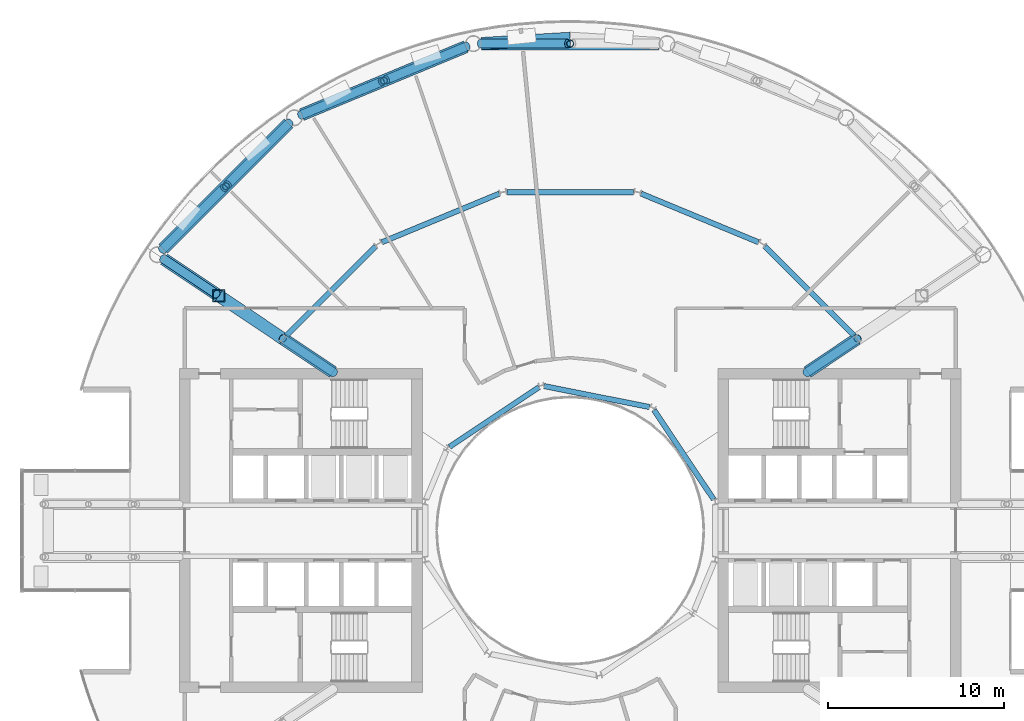
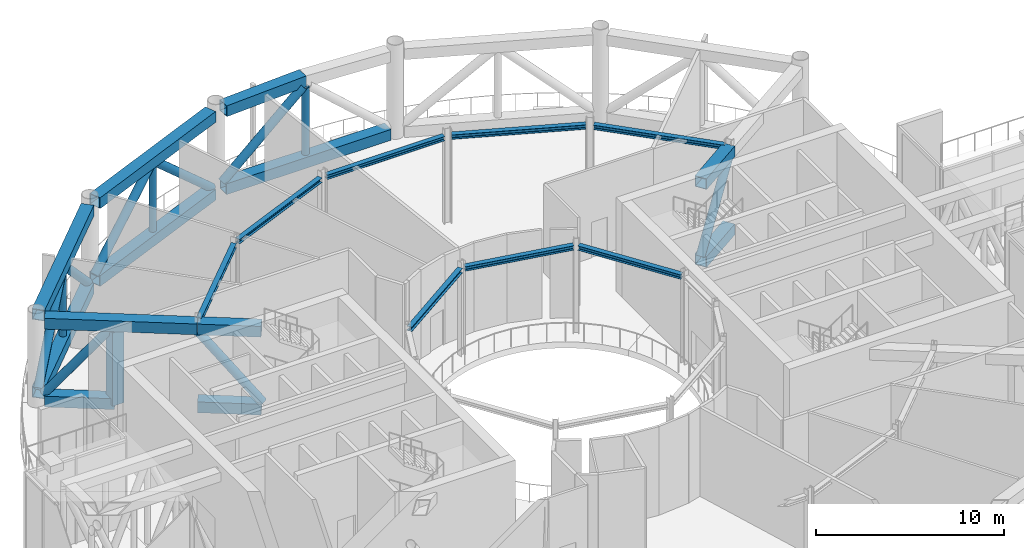
# One storey, part 9 of 25: 20 beams, 12 members.
"""IFC4 building model written with IfcOpenShell, lengths in metres."""

from ifc_helpers import new_model, si_unit, direction, frame, origin, origin_2d, place, context, subcontext, project, spatial, hollow_rectangle, hollow_circle, i_section, extrude, material, material_profile, profile_set, type_object, element, save


model = new_model("IFC4")

# Units and contexts
model_context = context("Model", 3, precision=1e-05, world=origin(), true_north=direction((0.0, 1.0)))
body_context = subcontext(model_context, "Body", "Model", "MODEL_VIEW")
ifc_project = project(units=[si_unit("LENGTHUNIT", "METRE"), si_unit("AREAUNIT", "SQUARE_METRE"), si_unit("VOLUMEUNIT", "CUBIC_METRE"), si_unit("PLANEANGLEUNIT", "RADIAN"), si_unit("MASSUNIT", "GRAM", prefix="KILO")], contexts=[model_context])

# Site, building, storey
site_placement = place(None, origin())
site = spatial("IfcSite", under=ifc_project, at=site_placement, CompositionType="ELEMENT")
building_placement = place(site_placement, origin())
building = spatial("IfcBuilding", under=site, at=building_placement, Name="Maasbend Ring Residences", CompositionType="ELEMENT")
storey_placement = place(building_placement, frame((0.0, 0.0, 139.10009765625)))
storey = spatial("IfcBuildingStorey", under=building, at=storey_placement, Name="L40", CompositionType="ELEMENT", Elevation=139.10009765625)

# Beams
ifc_material_1 = material(Name="Steel S460M", Category="steel")
ifc_material_profile_1 = material_profile(ifc_material_1, hollow_rectangle(XDim=0.699951171875, YDim=0.699951171875, WallThickness=0.0400390625, at=origin_2d()), Name="Belt truss chord BX 700x700x40")
ifc_profile_set_1 = profile_set([ifc_material_profile_1], Name="Steel S460M")
beam_type_1 = type_object("IfcBeamType", Name="Belt truss chord BX 700x700x40", PredefinedType="BEAM", material=ifc_profile_set_1)
beam_1_placement = place(storey_placement, frame((5.04443359375, 27.658203125, 0.349853515625), z_axis=(-1.0, 0.0, 0.0), x_axis=(0.0, -1.0, 0.0)))
element("IfcBeam", 1, at=beam_1_placement, inside=storey, type_object=beam_type_1, Name="Belt truss", PredefinedType="BEAM", context=body_context, shape_type="SweptSolid", body=[
    extrude(hollow_rectangle(XDim=0.699951171875, YDim=0.699951171875, WallThickness=0.0400390625, at=origin_2d()), origin(), (0.0, 0.0, 1.0), 10.0888671875),
])
beam_2_placement = place(storey_placement, frame((0.0, 27.9580078125, 5.39990234375), z_axis=(-0.998238537698, -0.05932808655, 0.0), x_axis=(0.05932808655, -0.998238537698, 0.0)))
element("IfcBeam", 2, at=beam_2_placement, inside=storey, type_object=beam_type_1, Name="Belt truss", PredefinedType="BEAM", context=body_context, shape_type="SweptSolid", body=[
    extrude(hollow_rectangle(XDim=0.699951171875, YDim=0.699951171875, WallThickness=0.0400390625, at=origin_2d()), origin(), (0.0, 0.0, 1.0), 5.05322265625),
])
for number, where, z_axis, x_axis, name in (
    (3, (-5.923583984375, 27.483154296875, 0.349853515625), (-0.92388529709, -0.382669515144, 0.0), (0.382669515144, -0.92388529709, 0.0), "Belt truss"),
    (4, (-5.923583984375, 27.483154296875, 5.39990234375), (-0.92388529709, -0.382669515144, 0.0), (0.382669515144, -0.92388529709, 0.0), "Belt truss"),
    (5, (-15.990234375, 23.124267578125, 0.349853515625), (-0.707106781187, -0.707106781187, 0.0), (0.707106781187, -0.707106781187, 0.0), "Belt truss"),
    (6, (-15.990234375, 23.124267578125, 5.39990234375), (-0.707106781187, -0.707106781187, 0.0), (0.707106781187, -0.707106781187, 0.0), "Belt truss"),
):
    element("IfcBeam", number, at=place(storey_placement, frame(where, z_axis=z_axis, x_axis=x_axis)), inside=storey, type_object=beam_type_1, Name=name, PredefinedType="BEAM", context=body_context, shape_type="SweptSolid", body=[
        extrude(hollow_rectangle(XDim=0.699951171875, YDim=0.699951171875, WallThickness=0.0400390625, at=origin_2d()), origin(), (0.0, 0.0, 1.0), 10.089111328125),
    ])

# Members
ifc_material_2 = material(Name="Steel S460NH", Category="steel")
ifc_material_profile_2 = material_profile(ifc_material_2, hollow_circle(Radius=0.25390625, WallThickness=0.01611328125, at=origin_2d()), Name="Belt truss diagonal CHS 508x16")
ifc_profile_set_2 = profile_set([ifc_material_profile_2], Name="Steel S460NH")
member_type_1 = type_object("IfcMemberType", Name="Belt truss diagonal CHS 508x16", PredefinedType="BRACE", material=ifc_profile_set_2)
member_1_placement = place(storey_placement, frame((-0.147705078125, 27.658203125, 5.099853515625), z_axis=(-0.743831786321, 0.0, -0.668366870558), x_axis=(0.0, -1.0, 0.0)))
element("IfcMember", 7, at=member_1_placement, inside=storey, type_object=member_type_1, Name="Belt truss diagonal", PredefinedType="BRACE", context=body_context, shape_type="SweptSolid", body=[
    extrude(hollow_circle(Radius=0.25390625, WallThickness=0.01611328125, at=origin_2d()), origin(), (0.0, 0.0, 1.0), 6.657958984375),
])
for number, where, z_axis, x_axis, name in (
    (8, (-5.872314453125, 27.50439453125, 0.64990234375), (-0.687230408207, -0.28465316716, 0.668346422495), (0.382675413306, -0.923882854074, 0.0), "Belt truss diagonal"),
    (9, (-10.720703125, 25.496337890625, 5.099853515625), (-0.687230408207, -0.28465316716, -0.668346422495), (0.382675413306, -0.923882854074, 0.0), "Belt truss diagonal"),
):
    element("IfcMember", number, at=place(storey_placement, frame(where, z_axis=z_axis, x_axis=x_axis)), inside=storey, type_object=member_type_1, Name=name, PredefinedType="BRACE", context=body_context, shape_type="SweptSolid", body=[
        extrude(hollow_circle(Radius=0.25390625, WallThickness=0.01611328125, at=origin_2d()), origin(), (0.0, 0.0, 1.0), 6.658203125),
    ])
for number, where, z_axis, x_axis, name in (
    (10, (-15.950927734375, 23.16357421875, 0.64990234375), (-0.525974052157, -0.525974052157, 0.668358132227), (0.707106781187, -0.707106781187, 0.0), "Belt truss diagonal"),
    (11, (-19.66162109375, 19.452880859375, 5.099853515625), (-0.525974052157, -0.525974052157, -0.668358132227), (0.707106781187, -0.707106781187, 0.0), "Belt truss diagonal"),
):
    element("IfcMember", number, at=place(storey_placement, frame(where, z_axis=z_axis, x_axis=x_axis)), inside=storey, type_object=member_type_1, Name=name, PredefinedType="BRACE", context=body_context, shape_type="SweptSolid", body=[
        extrude(hollow_circle(Radius=0.25390625, WallThickness=0.01611328125, at=origin_2d()), origin(), (0.0, 0.0, 1.0), 6.657958984375),
    ])
ifc_material_3 = material(Name="Steel S460NH", Category="steel")
ifc_material_profile_3 = material_profile(ifc_material_3, hollow_circle(Radius=0.203125, WallThickness=0.01611328125, at=origin_2d()), Name="Belt truss post CHS 406.4x16")
ifc_profile_set_3 = profile_set([ifc_material_profile_3], Name="Steel S460NH")
member_type_2 = type_object("IfcMemberType", Name="Belt truss post CHS 406.4x16", PredefinedType="POST", material=ifc_profile_set_3)
for number, where, z_axis, x_axis, name in (
    (12, (0.0, 27.658203125, 0.699951171875), (0.0, 0.0, 1.0), (1.0, 0.0, 0.0), "Belt truss post"),
    (13, (-10.584228515625, 25.552734375, 0.699951171875), (0.0, 0.0, 1.0), (1.0, 0.0, 0.0), "Belt truss post"),
    (14, (-19.55712890625, 19.55712890625, 0.699951171875), (0.0, 0.0, 1.0), (1.0, 0.0, 0.0), "Belt truss post"),
):
    element("IfcMember", number, at=place(storey_placement, frame(where, z_axis=z_axis, x_axis=x_axis)), inside=storey, type_object=member_type_2, Name=name, PredefinedType="POST", context=body_context, shape_type="SweptSolid", body=[
        extrude(hollow_circle(Radius=0.203125, WallThickness=0.01611328125, at=origin_2d()), origin(), (0.0, 0.0, 1.0), 4.349853515625),
    ])

# Beams
ifc_material_4 = material(Name="Steel S355J2", Category="steel")
ifc_material_profile_4 = material_profile(ifc_material_4, i_section(OverallWidth=0.300048828125, OverallDepth=0.2900390625, WebThickness=0.008544921875, FlangeThickness=0.013916015625, FilletRadius=0.027099609375, at=origin_2d()), Name="HEA 300")
ifc_profile_set_4 = profile_set([ifc_material_profile_4], Name="Steel S355J2")
beam_type_2 = type_object("IfcBeamType", Name="Corridor ring beam HEA 300", PredefinedType="BEAM", material=ifc_profile_set_4)
for number, where, z_axis, x_axis, name in (
    (15, (16.14111328125, 11.044921875, 5.60498046875), (-0.707106781187, 0.707106781187, 0.0), (-0.707106781187, -0.707106781187, 0.0), "Corridor ring beam"),
    (16, (10.685791015625, 16.381103515625, 5.60498046875), (-0.923877693919, 0.382687871089, 0.0), (-0.382687871089, -0.923877693919, 0.0), "Corridor ring beam"),
    (17, (3.603515625, 19.223388671875, 5.60498046875), (-1.0, 0.0, 0.0), (0.0, -1.0, 0.0), "Corridor ring beam"),
    (18, (-4.02734375, 19.13916015625, 5.60498046875), (-0.923877693919, -0.382687871089, 0.0), (0.382687871089, -0.923877693919, 0.0), "Corridor ring beam"),
    (19, (-11.044921875, 16.14111328125, 5.60498046875), (-0.707106781187, -0.707106781187, 0.0), (0.707106781187, -0.707106781187, 0.0), "Corridor ring beam"),
):
    element("IfcBeam", number, at=place(storey_placement, frame(where, z_axis=z_axis, x_axis=x_axis)), inside=storey, type_object=beam_type_2, Name=name, PredefinedType="BEAM", context=body_context, shape_type="SweptSolid", body=[
        extrude(i_section(OverallWidth=0.300048828125, OverallDepth=0.2900390625, WebThickness=0.008544921875, FlangeThickness=0.013916015625, FilletRadius=0.027099609375, at=origin_2d()), origin(), (0.0, 0.0, 1.0), 7.20703125),
    ])
ifc_material_5 = material(Name="Steel S460M", Category="steel")
ifc_material_profile_5 = material_profile(ifc_material_5, hollow_rectangle(XDim=0.699951171875, YDim=0.699951171875, WallThickness=0.0400390625, at=origin_2d()), Name="Outrigger truss chord BX 700x700x40")
ifc_profile_set_5 = profile_set([ifc_material_profile_5], Name="Steel S460M")
beam_type_3 = type_object("IfcBeamType", Name="Outrigger truss chord BX 700x700x40", PredefinedType="BEAM", material=ifc_profile_set_5)
for number, where, z_axis, x_axis, name in (
    (20, (16.2900390625, 10.884765625, 0.349853515625), (-0.831451918965, -0.555596712058, 0.0), (0.555596712058, -0.831451918965, 0.0), "Outrigger truss"),
    (21, (16.2900390625, 10.884765625, 5.39990234375), (-0.831451918965, -0.555596712058, 0.0), (0.555596712058, -0.831451918965, 0.0), "Outrigger truss"),
):
    element("IfcBeam", number, at=place(storey_placement, frame(where, z_axis=z_axis, x_axis=x_axis)), inside=storey, type_object=beam_type_3, Name=name, PredefinedType="BEAM", context=body_context, shape_type="SweptSolid", body=[
        extrude(hollow_rectangle(XDim=0.699951171875, YDim=0.699951171875, WallThickness=0.0400390625, at=origin_2d()), origin(), (0.0, 0.0, 1.0), 3.392333984375),
    ])
beam_3_placement = place(storey_placement, frame((-23.0673828125, 15.4130859375, 0.349853515625), z_axis=(0.831476625974, -0.555559736175, 0.0), x_axis=(0.555559736175, 0.831476625974, 0.0)))
element("IfcBeam", 22, at=beam_3_placement, inside=storey, type_object=beam_type_3, Name="Outrigger truss", PredefinedType="BEAM", context=body_context, shape_type="SweptSolid", body=[
    extrude(hollow_rectangle(XDim=0.699951171875, YDim=0.699951171875, WallThickness=0.0400390625, at=origin_2d()), origin(), (0.0, 0.0, 1.0), 3.73486328125),
])
beam_4_placement = place(storey_placement, frame((-23.0673828125, 15.4130859375, 5.39990234375), z_axis=(0.831468075719, -0.555572532673, 0.0), x_axis=(0.555572532673, 0.831468075719, 0.0)))
element("IfcBeam", 23, at=beam_4_placement, inside=storey, type_object=beam_type_3, Name="Outrigger truss", PredefinedType="BEAM", context=body_context, shape_type="SweptSolid", body=[
    extrude(hollow_rectangle(XDim=0.699951171875, YDim=0.699951171875, WallThickness=0.0400390625, at=origin_2d()), origin(), (0.0, 0.0, 1.0), 8.135009765625),
])
for number, where, z_axis, x_axis, name in (
    (24, (-16.2900390625, 10.884765625, 0.349853515625), (0.831451918965, -0.555596712058, 0.0), (0.555596712058, 0.831451918965, 0.0), "Outrigger truss"),
    (25, (-16.2900390625, 10.884765625, 5.39990234375), (0.831451918965, -0.555596712058, 0.0), (0.555596712058, 0.831451918965, 0.0), "Outrigger truss"),
):
    element("IfcBeam", number, at=place(storey_placement, frame(where, z_axis=z_axis, x_axis=x_axis)), inside=storey, type_object=beam_type_3, Name=name, PredefinedType="BEAM", context=body_context, shape_type="SweptSolid", body=[
        extrude(hollow_rectangle(XDim=0.699951171875, YDim=0.699951171875, WallThickness=0.0400390625, at=origin_2d()), origin(), (0.0, 0.0, 1.0), 3.392333984375),
    ])

# Members
ifc_material_6 = material(Name="Steel S460NH", Category="steel")
ifc_material_profile_6 = material_profile(ifc_material_6, hollow_circle(Radius=0.25390625, WallThickness=0.02490234375, at=origin_2d()), Name="Outrigger truss diagonal CHS 508x25")
ifc_profile_set_6 = profile_set([ifc_material_profile_6], Name="Steel S460NH")
member_type_3 = type_object("IfcMemberType", Name="Outrigger truss diagonal CHS 508x25", PredefinedType="BRACE", material=ifc_profile_set_6)
member_2_placement = place(storey_placement, frame((16.322509765625, 10.906494140625, 5.099853515625), z_axis=(-0.511318996227, -0.341686896709, -0.78854482987), x_axis=(0.555608978512, -0.831443722086, 0.0)))
element("IfcMember", 26, at=member_2_placement, inside=storey, type_object=member_type_3, Name="Outrigger truss diagonal", PredefinedType="BRACE", context=body_context, shape_type="SweptSolid", body=[
    extrude(hollow_circle(Radius=0.25390625, WallThickness=0.02490234375, at=origin_2d()), origin(), (0.0, 0.0, 1.0), 5.643310546875),
])
member_3_placement = place(storey_placement, frame((-23.101318359375, 15.435791015625, 0.64990234375), z_axis=(0.52409752366, -0.350193404269, 0.776328773974), x_axis=(0.555573122826, 0.831467681388, 0.0)))
element("IfcMember", 27, at=member_3_placement, inside=storey, type_object=member_type_3, Name="Outrigger truss diagonal", PredefinedType="BRACE", context=body_context, shape_type="SweptSolid", body=[
    extrude(hollow_circle(Radius=0.25390625, WallThickness=0.02490234375, at=origin_2d()), origin(), (0.0, 0.0, 1.0), 5.73193359375),
])
member_4_placement = place(storey_placement, frame((-16.322509765625, 10.906494140625, 5.099853515625), z_axis=(0.511318996227, -0.341686896709, -0.78854482987), x_axis=(0.555608978512, 0.831443722086, 0.0)))
element("IfcMember", 28, at=member_4_placement, inside=storey, type_object=member_type_3, Name="Outrigger truss diagonal", PredefinedType="BRACE", context=body_context, shape_type="SweptSolid", body=[
    extrude(hollow_circle(Radius=0.25390625, WallThickness=0.02490234375, at=origin_2d()), origin(), (0.0, 0.0, 1.0), 5.643310546875),
])
ifc_material_7 = material(Name="Steel S460M", Category="steel")
ifc_material_profile_7 = material_profile(ifc_material_7, hollow_rectangle(XDim=0.699951171875, YDim=0.699951171875, WallThickness=0.0400390625, at=origin_2d()), Name="Outrigger truss post BX 700x700x40")
ifc_profile_set_7 = profile_set([ifc_material_profile_7], Name="Steel S460M")
member_type_4 = type_object("IfcMemberType", Name="Outrigger truss post BX 700x700x40", PredefinedType="POST", material=ifc_profile_set_7)
member_5_placement = place(storey_placement, frame((-19.9619140625, 13.338134765625, 0.2998046875), z_axis=(0.0, 0.0, 1.0), x_axis=(1.0, 0.0, 0.0)))
element("IfcMember", 29, at=member_5_placement, inside=storey, type_object=member_type_4, Name="Outrigger truss post", PredefinedType="POST", context=body_context, shape_type="SweptSolid", body=[
    extrude(hollow_rectangle(XDim=0.699951171875, YDim=0.699951171875, WallThickness=0.0400390625, at=origin_2d()), origin(), (0.0, 0.0, 1.0), 4.75),
])

# Beams
ifc_material_8 = material(Name="Steel S355J2", Category="steel")
ifc_material_profile_8 = material_profile(ifc_material_8, i_section(OverallWidth=0.300048828125, OverallDepth=0.2900390625, WebThickness=0.008544921875, FlangeThickness=0.013916015625, FilletRadius=0.027099609375, at=origin_2d()), Name="HEA 300")
ifc_profile_set_8 = profile_set([ifc_material_profile_8], Name="Steel S355J2")
beam_type_4 = type_object("IfcBeamType", Name="Well edge beam HEA 300", PredefinedType="BEAM", material=ifc_profile_set_8)
beam_5_placement = place(storey_placement, frame((8.1484375, 1.773681640625, 5.60498046875), z_axis=(-0.555558236289, 0.831477628137, 0.0), x_axis=(-0.831477628137, -0.555558236289, 0.0)))
element("IfcBeam", 30, at=beam_5_placement, inside=storey, type_object=beam_type_4, Name="Well edge beam", PredefinedType="BEAM", context=body_context, shape_type="SweptSolid", body=[
    extrude(i_section(OverallWidth=0.300048828125, OverallDepth=0.2900390625, WebThickness=0.008544921875, FlangeThickness=0.013916015625, FilletRadius=0.027099609375, at=origin_2d()), origin(), (0.0, 0.0, 1.0), 6.1044921875),
])
beam_6_placement = place(storey_placement, frame((4.507568359375, 7.01611328125, 5.60498046875), z_axis=(-0.980792381321, 0.195054619896, 0.0), x_axis=(-0.195054619896, -0.980792381321, 0.0)))
element("IfcBeam", 31, at=beam_6_placement, inside=storey, type_object=beam_type_4, Name="Well edge beam", PredefinedType="BEAM", context=body_context, shape_type="SweptSolid", body=[
    extrude(i_section(OverallWidth=0.300048828125, OverallDepth=0.2900390625, WebThickness=0.008544921875, FlangeThickness=0.013916015625, FilletRadius=0.027099609375, at=origin_2d()), origin(), (0.0, 0.0, 1.0), 6.104248046875),
])
beam_7_placement = place(storey_placement, frame((-1.773681640625, 8.1484375, 5.60498046875), z_axis=(-0.831477628137, -0.555558236289, 0.0), x_axis=(0.555558236289, -0.831477628137, 0.0)))
element("IfcBeam", 32, at=beam_7_placement, inside=storey, type_object=beam_type_4, Name="Well edge beam", PredefinedType="BEAM", context=body_context, shape_type="SweptSolid", body=[
    extrude(i_section(OverallWidth=0.300048828125, OverallDepth=0.2900390625, WebThickness=0.008544921875, FlangeThickness=0.013916015625, FilletRadius=0.027099609375, at=origin_2d()), origin(), (0.0, 0.0, 1.0), 6.1044921875),
])

save(model, "model.ifc")
